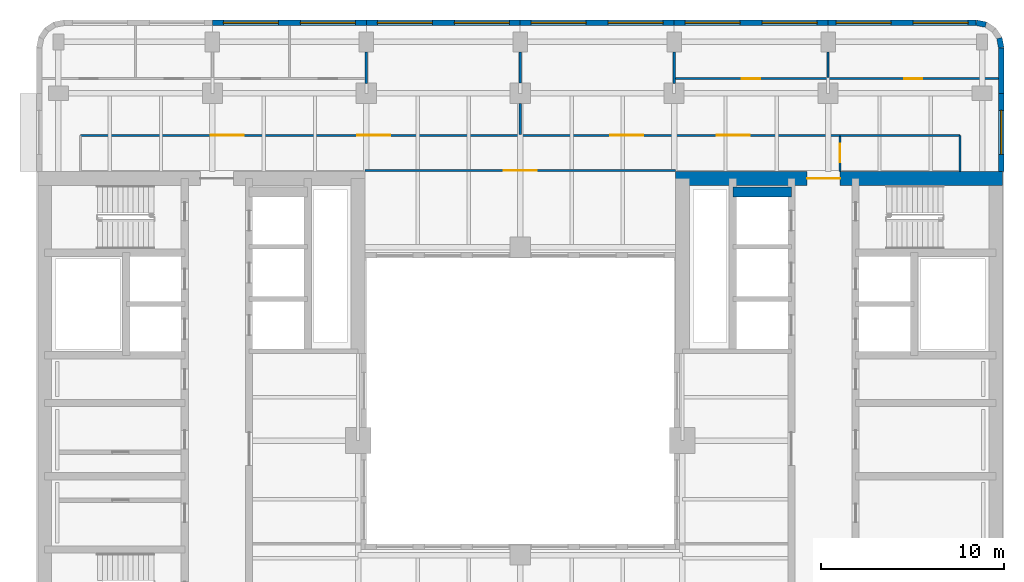
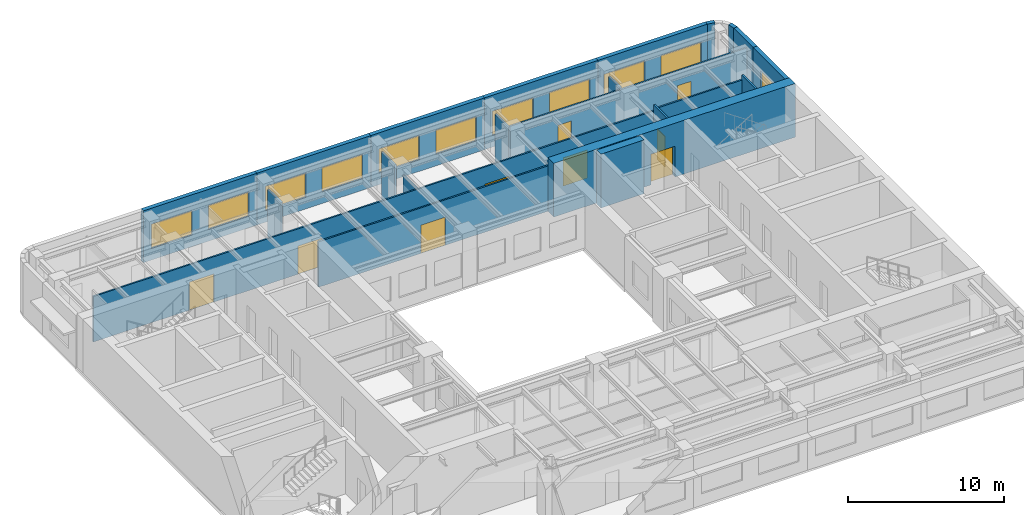
# One storey, part 7 of 11: 22 walls, 11 windows, 9 doors, 20 openings.
"""IFC4 building model written with IfcOpenShell, lengths in metres."""

from ifc_helpers import new_model, si_unit, direction, frame, frame_2d, origin, place, context, subcontext, project, spatial, rectangle, extrude, material, layer, layer_set, type_object, element, fill, save


model = new_model("IFC4")

# Units and contexts
model_context = context("Model", 3, precision=1e-05, world=origin(), true_north=direction((0.0, 1.0)))
body_context = subcontext(model_context, "Body", "Model", "MODEL_VIEW")
ifc_project = project(units=[si_unit("LENGTHUNIT", "METRE"), si_unit("AREAUNIT", "SQUARE_METRE"), si_unit("VOLUMEUNIT", "CUBIC_METRE"), si_unit("PLANEANGLEUNIT", "RADIAN"), si_unit("MASSUNIT", "GRAM", prefix="KILO")], contexts=[model_context])

# Site, building, storey
site_placement = place(None, origin())
site = spatial("IfcSite", under=ifc_project, at=site_placement, CompositionType="ELEMENT")
building_placement = place(site_placement, origin())
building = spatial("IfcBuilding", under=site, at=building_placement, Name="Claustro Exchange Tower", CompositionType="ELEMENT")
storey_placement = place(building_placement, frame((0.0, 0.0, 190.199951171875)))
storey = spatial("IfcBuildingStorey", under=building, at=storey_placement, Name="L43", CompositionType="ELEMENT", Elevation=190.199951171875)

# Wall
ifc_material_1 = material(Name="Laminated glass in aluminium frame", Category="aluminium")
ifc_layer_1 = layer(ifc_material_1, 0.1201171875)
ifc_layer_set_1 = layer_set([ifc_layer_1], Name="Laminated glass in aluminium frame")
wall_type_1 = type_object("IfcWallType", Name="P2 120 glazed partition", PredefinedType="PARTITIONING", material=ifc_layer_set_1)
wall_1_placement = place(storey_placement, frame((16.800048828125, 42.548095703125, 0.0), z_axis=(0.0, 0.0, 1.0), x_axis=(0.0, 1.0, 0.0)))
element("IfcWall", 1, at=wall_1_placement, inside=storey, type_object=wall_type_1, Name="Partition P2 L43", PredefinedType="PARTITIONING", context=body_context, shape_type="SweptSolid", body=[
    extrude(rectangle(XDim=1.702880859375, YDim=0.1201171875, at=frame_2d((0.8515625, 0.0))), origin(), (0.0, 0.0, 1.0), 3.68994140625),
])

# Wall, openings, doors
wall_2_placement = place(storey_placement, frame((33.60009765625, 42.800048828125, 0.0), z_axis=(0.0, 0.0, 1.0), x_axis=(1.0, 0.0, 0.0)))
wall_2 = element("IfcWall", 2, at=wall_2_placement, inside=storey, type_object=wall_type_1, Name="Partition P2 L43", PredefinedType="PARTITIONING", context=body_context, shape_type="SweptSolid", body=[
    extrude(rectangle(XDim=17.701904296875, YDim=0.1201171875, at=frame_2d((8.85107421875, 0.0))), origin(), (0.0, 0.0, 1.0), 3.56005859375),
])
opening_1_placement = place(wall_2_placement, frame((3.699951171875, 0.0, 0.0)))
opening_1 = element("IfcOpeningElement", 3, at=opening_1_placement, cuts=wall_2, Name="Opening D7", PredefinedType="OPENING", context=body_context, shape_type="SweptSolid", body=[
    extrude(rectangle(XDim=1.0, YDim=2.39990234375, at=frame_2d((0.5, 1.199951171875))), frame((0.0, 0.070068359375, 0.0), z_axis=(0.0, -1.0, 0.0), x_axis=(1.0, 0.0, 0.0)), (0.0, 0.0, 1.0), 0.14013671875),
])
opening_2_placement = place(wall_2_placement, frame((12.550048828125, 0.0, 0.0)))
opening_2 = element("IfcOpeningElement", 4, at=opening_2_placement, cuts=wall_2, Name="Opening D7", PredefinedType="OPENING", context=body_context, shape_type="SweptSolid", body=[
    extrude(rectangle(XDim=1.0, YDim=2.39990234375, at=frame_2d((0.5, 1.199951171875))), frame((0.0, 0.070068359375, 0.0), z_axis=(0.0, -1.0, 0.0), x_axis=(1.0, 0.0, 0.0)), (0.0, 0.0, 1.0), 0.14013671875),
])
ifc_material_2 = material(Name="Glass door in aluminium frame", Category="aluminium")
door_type_1 = type_object("IfcDoorType", Name="D7 1000 x 2400 glazed door", OperationType="SINGLE_SWING_LEFT", PredefinedType="DOOR", material=ifc_material_2)
door_1_placement = place(opening_1_placement, origin())
door_1 = element("IfcDoor", 5, at=door_1_placement, inside=storey, type_object=door_type_1, Name="Door D7 L43", OperationType="SINGLE_SWING_RIGHT", OverallHeight=2.39990234375, OverallWidth=1.0, PredefinedType="DOOR", context=body_context, shape_type="SweptSolid", body=[
    extrude(rectangle(XDim=1.0, YDim=2.39990234375, at=frame_2d((0.5, 1.199951171875))), frame((0.0, 0.02490234375, 0.0), z_axis=(0.0, -1.0, 0.0), x_axis=(1.0, 0.0, 0.0)), (0.0, 0.0, 1.0), 0.050048828125),
])
fill(opening_1, door_1)
door_2_placement = place(opening_2_placement, origin())
door_2 = element("IfcDoor", 6, at=door_2_placement, inside=storey, type_object=door_type_1, Name="Door D7 L43", OperationType="SINGLE_SWING_LEFT", OverallHeight=2.39990234375, OverallWidth=1.0, PredefinedType="DOOR", context=body_context, shape_type="SweptSolid", body=[
    extrude(rectangle(XDim=1.0, YDim=2.39990234375, at=frame_2d((0.5, 1.199951171875))), frame((0.0, 0.02490234375, 0.0), z_axis=(0.0, -1.0, 0.0), x_axis=(1.0, 0.0, 0.0)), (0.0, 0.0, 1.0), 0.050048828125),
])
fill(opening_2, door_2)

# Walls
wall_3_placement = place(storey_placement, frame((33.60009765625, 42.548095703125, 0.0), z_axis=(0.0, 0.0, 1.0), x_axis=(0.0, 1.0, 0.0)))
element("IfcWall", 7, at=wall_3_placement, inside=storey, type_object=wall_type_1, Name="Partition P2 L43", PredefinedType="PARTITIONING", context=body_context, shape_type="SweptSolid", body=[
    extrude(rectangle(XDim=1.702880859375, YDim=0.1201171875, at=frame_2d((0.8515625, 0.0))), origin(), (0.0, 0.0, 1.0), 3.68994140625),
])
wall_4_placement = place(storey_placement, frame((42.0, 42.85791015625, 0.0), z_axis=(0.0, 0.0, 1.0), x_axis=(0.0, 1.0, 0.0)))
element("IfcWall", 8, at=wall_4_placement, inside=storey, type_object=wall_type_1, Name="Partition P2 L43", PredefinedType="PARTITIONING", context=body_context, shape_type="SweptSolid", body=[
    extrude(rectangle(XDim=1.39306640625, YDim=0.1201171875, at=frame_2d((0.696533203125, 0.0))), origin(), (0.0, 0.0, 1.0), 3.68994140625),
])
wall_5_placement = place(storey_placement, frame((25.199951171875, 39.758056640625, 0.0), z_axis=(0.0, 0.0, 1.0), x_axis=(0.0, 1.0, 0.0)))
element("IfcWall", 9, at=wall_5_placement, inside=storey, type_object=wall_type_1, Name="Partition P2 L43", PredefinedType="PARTITIONING", context=body_context, shape_type="SweptSolid", body=[
    extrude(rectangle(XDim=1.69287109375, YDim=0.1201171875, at=frame_2d((0.846435546875, 0.0))), origin(), (0.0, 0.0, 1.0), 3.550048828125),
])
wall_6_placement = place(storey_placement, frame((25.199951171875, 42.549072265625, 0.0), z_axis=(0.0, 0.0, 1.0), x_axis=(0.0, 1.0, 0.0)))
element("IfcWall", 10, at=wall_6_placement, inside=storey, type_object=wall_type_1, Name="Partition P2 L43", PredefinedType="PARTITIONING", context=body_context, shape_type="SweptSolid", body=[
    extrude(rectangle(XDim=1.701904296875, YDim=0.1201171875, at=frame_2d((0.85107421875, 0.0))), origin(), (0.0, 0.0, 1.0), 3.68994140625),
])

# Wall, openings, doors
wall_7_placement = place(storey_placement, frame((1.199951171875, 39.699951171875, 0.0), z_axis=(0.0, 0.0, 1.0), x_axis=(1.0, 0.0, 0.0)))
wall_7 = element("IfcWall", 11, at=wall_7_placement, inside=storey, type_object=wall_type_1, Name="Partition P2 L43", PredefinedType="PARTITIONING", context=body_context, shape_type="SweptSolid", body=[
    extrude(rectangle(XDim=41.4521484375, YDim=0.1201171875, at=frame_2d((20.72607421875, 0.0))), origin(), (0.0, 0.0, 1.0), 3.550048828125),
])
opening_3_placement = place(wall_7_placement, frame((7.10009765625, 0.0, 0.0)))
opening_3 = element("IfcOpeningElement", 12, at=opening_3_placement, cuts=wall_7, Name="Opening D2", PredefinedType="OPENING", context=body_context, shape_type="SweptSolid", body=[
    extrude(rectangle(XDim=1.800048828125, YDim=2.199951171875, at=frame_2d((0.89990234375, 1.10009765625))), frame((0.0, 0.070068359375, 0.0), z_axis=(0.0, -1.0, 0.0), x_axis=(1.0, 0.0, 0.0)), (0.0, 0.0, 1.0), 0.14013671875),
])
opening_4_placement = place(wall_7_placement, frame((15.10009765625, 0.0, 0.0)))
opening_4 = element("IfcOpeningElement", 13, at=opening_4_placement, cuts=wall_7, Name="Opening D2", PredefinedType="OPENING", context=body_context, shape_type="SweptSolid", body=[
    extrude(rectangle(XDim=1.800048828125, YDim=2.199951171875, at=frame_2d((0.89990234375, 1.10009765625))), frame((0.0, 0.070068359375, 0.0), z_axis=(0.0, -1.0, 0.0), x_axis=(1.0, 0.0, 0.0)), (0.0, 0.0, 1.0), 0.14013671875),
])
opening_5_placement = place(wall_7_placement, frame((28.916748046875, 0.0, 0.0)))
opening_5 = element("IfcOpeningElement", 14, at=opening_5_placement, cuts=wall_7, Name="Opening D2", PredefinedType="OPENING", context=body_context, shape_type="SweptSolid", body=[
    extrude(rectangle(XDim=1.800048828125, YDim=2.199951171875, at=frame_2d((0.89990234375, 1.10009765625))), frame((0.0, 0.070068359375, 0.0), z_axis=(0.0, -1.0, 0.0), x_axis=(1.0, 0.0, 0.0)), (0.0, 0.0, 1.0), 0.14013671875),
])
opening_6_placement = place(wall_7_placement, frame((34.7333984375, 0.0, 0.0)))
opening_6 = element("IfcOpeningElement", 15, at=opening_6_placement, cuts=wall_7, Name="Opening D2", PredefinedType="OPENING", context=body_context, shape_type="SweptSolid", body=[
    extrude(rectangle(XDim=1.800048828125, YDim=2.199951171875, at=frame_2d((0.89990234375, 1.10009765625))), frame((0.0, 0.070068359375, 0.0), z_axis=(0.0, -1.0, 0.0), x_axis=(1.0, 0.0, 0.0)), (0.0, 0.0, 1.0), 0.14013671875),
])
ifc_material_3 = material(Name="Timber door, oak veneer", Category="wood")
door_type_2 = type_object("IfcDoorType", Name="D2 1800 x 2200 double door", OperationType="DOUBLE_DOOR_SINGLE_SWING", PredefinedType="DOOR", material=ifc_material_3)
door_3_placement = place(opening_3_placement, origin())
door_3 = element("IfcDoor", 16, at=door_3_placement, inside=storey, type_object=door_type_2, Name="Double door D2 L43", OperationType="DOUBLE_DOOR_SINGLE_SWING", OverallHeight=2.199951171875, OverallWidth=1.800048828125, PredefinedType="DOOR", context=body_context, shape_type="SweptSolid", body=[
    extrude(rectangle(XDim=1.800048828125, YDim=2.199951171875, at=frame_2d((0.89990234375, 1.10009765625))), frame((0.0, 0.02490234375, 0.0), z_axis=(0.0, -1.0, 0.0), x_axis=(1.0, 0.0, 0.0)), (0.0, 0.0, 1.0), 0.050048828125),
])
fill(opening_3, door_3)
door_4_placement = place(opening_4_placement, origin())
door_4 = element("IfcDoor", 17, at=door_4_placement, inside=storey, type_object=door_type_2, Name="Double door D2 L43", OperationType="DOUBLE_DOOR_SINGLE_SWING", OverallHeight=2.199951171875, OverallWidth=1.800048828125, PredefinedType="DOOR", context=body_context, shape_type="SweptSolid", body=[
    extrude(rectangle(XDim=1.800048828125, YDim=2.199951171875, at=frame_2d((0.89990234375, 1.10009765625))), frame((0.0, 0.02490234375, 0.0), z_axis=(0.0, -1.0, 0.0), x_axis=(1.0, 0.0, 0.0)), (0.0, 0.0, 1.0), 0.050048828125),
])
fill(opening_4, door_4)
door_5_placement = place(opening_5_placement, origin())
door_5 = element("IfcDoor", 18, at=door_5_placement, inside=storey, type_object=door_type_2, Name="Double door D2 L43", OperationType="DOUBLE_DOOR_SINGLE_SWING", OverallHeight=2.199951171875, OverallWidth=1.800048828125, PredefinedType="DOOR", context=body_context, shape_type="SweptSolid", body=[
    extrude(rectangle(XDim=1.800048828125, YDim=2.199951171875, at=frame_2d((0.89990234375, 1.10009765625))), frame((0.0, 0.02490234375, 0.0), z_axis=(0.0, -1.0, 0.0), x_axis=(1.0, 0.0, 0.0)), (0.0, 0.0, 1.0), 0.050048828125),
])
fill(opening_5, door_5)
door_6_placement = place(opening_6_placement, origin())
door_6 = element("IfcDoor", 19, at=door_6_placement, inside=storey, type_object=door_type_2, Name="Double door D2 L43", OperationType="DOUBLE_DOOR_SINGLE_SWING", OverallHeight=2.199951171875, OverallWidth=1.800048828125, PredefinedType="DOOR", context=body_context, shape_type="SweptSolid", body=[
    extrude(rectangle(XDim=1.800048828125, YDim=2.199951171875, at=frame_2d((0.89990234375, 1.10009765625))), frame((0.0, 0.02490234375, 0.0), z_axis=(0.0, -1.0, 0.0), x_axis=(1.0, 0.0, 0.0)), (0.0, 0.0, 1.0), 0.050048828125),
])
fill(opening_6, door_6)

# Wall, opening, door
wall_8_placement = place(storey_placement, frame((42.64990234375, 37.72412109375, 0.0), z_axis=(0.0, 0.0, 1.0), x_axis=(0.0, 1.0, 0.0)))
wall_8 = element("IfcWall", 20, at=wall_8_placement, inside=storey, type_object=wall_type_1, Name="Partition P2 L43", PredefinedType="PARTITIONING", context=body_context, shape_type="SweptSolid", body=[
    extrude(rectangle(XDim=1.91796875, YDim=0.1201171875, at=frame_2d((0.958984375, 0.0))), origin(), (0.0, 0.0, 1.0), 4.050048828125),
])
opening_7_placement = place(wall_8_placement, frame((0.52587890625, 0.0, 0.0)))
opening_7 = element("IfcOpeningElement", 21, at=opening_7_placement, cuts=wall_8, Name="Opening D7", PredefinedType="OPENING", context=body_context, shape_type="SweptSolid", body=[
    extrude(rectangle(XDim=1.0, YDim=2.39990234375, at=frame_2d((0.5, 1.199951171875))), frame((0.0, 0.070068359375, 0.0), z_axis=(0.0, -1.0, 0.0), x_axis=(1.0, 0.0, 0.0)), (0.0, 0.0, 1.0), 0.14013671875),
])
door_7_placement = place(opening_7_placement, frame((1.0, 0.0, 0.0), z_axis=(0.0, 0.0, 1.0), x_axis=(-1.0, 0.0, 0.0)))
door_7 = element("IfcDoor", 22, at=door_7_placement, inside=storey, type_object=door_type_1, Name="Door D7 L43", OperationType="SINGLE_SWING_RIGHT", OverallHeight=2.39990234375, OverallWidth=1.0, PredefinedType="DOOR", context=body_context, shape_type="SweptSolid", body=[
    extrude(rectangle(XDim=1.0, YDim=2.39990234375, at=frame_2d((0.5, 1.199951171875))), frame((0.0, 0.02490234375, 0.0), z_axis=(0.0, -1.0, 0.0), x_axis=(1.0, 0.0, 0.0)), (0.0, 0.0, 1.0), 0.050048828125),
])
fill(opening_7, door_7)

# Walls
wall_9_placement = place(storey_placement, frame((42.64794921875, 39.699951171875, 0.0), z_axis=(0.0, 0.0, 1.0), x_axis=(1.0, 0.0, 0.0)))
element("IfcWall", 23, at=wall_9_placement, inside=storey, type_object=wall_type_1, Name="Partition P2 L43", PredefinedType="PARTITIONING", context=body_context, shape_type="SweptSolid", body=[
    extrude(rectangle(XDim=6.552001953125, YDim=0.1201171875, at=frame_2d((3.27587890625, 0.0))), origin(), (0.0, 0.0, 1.0), 3.68994140625),
])
wall_10_placement = place(storey_placement, frame((49.199951171875, 37.72412109375, 0.0), z_axis=(0.0, 0.0, 1.0), x_axis=(0.0, 1.0, 0.0)))
element("IfcWall", 24, at=wall_10_placement, inside=storey, type_object=wall_type_1, Name="Partition P2 L43", PredefinedType="PARTITIONING", context=body_context, shape_type="SweptSolid", body=[
    extrude(rectangle(XDim=1.975830078125, YDim=0.1201171875, at=frame_2d((0.98779296875, 0.0))), origin(), (0.0, 0.0, 1.0), 4.050048828125),
])

# Wall, opening, door
wall_11_placement = place(storey_placement, frame((16.72509765625, 37.784912109375, 0.0), z_axis=(0.0, 0.0, 1.0), x_axis=(1.0, 0.0, 0.0)))
wall_11 = element("IfcWall", 25, at=wall_11_placement, inside=storey, type_object=wall_type_1, Name="Partition P2 L43", PredefinedType="PARTITIONING", context=body_context, shape_type="SweptSolid", body=[
    extrude(rectangle(XDim=16.949951171875, YDim=0.1201171875, at=frame_2d((8.47509765625, 0.0))), origin(), (0.0, 0.0, 1.0), 3.550048828125),
])
opening_8_placement = place(wall_11_placement, frame((7.574951171875, 0.0, 0.0)))
opening_8 = element("IfcOpeningElement", 26, at=opening_8_placement, cuts=wall_11, Name="Opening D2", PredefinedType="OPENING", context=body_context, shape_type="SweptSolid", body=[
    extrude(rectangle(XDim=1.800048828125, YDim=2.199951171875, at=frame_2d((0.89990234375, 1.10009765625))), frame((0.0, 0.070068359375, 0.0), z_axis=(0.0, -1.0, 0.0), x_axis=(1.0, 0.0, 0.0)), (0.0, 0.0, 1.0), 0.14013671875),
])
door_8_placement = place(opening_8_placement, frame((1.800048828125, 0.0, 0.0), z_axis=(0.0, 0.0, 1.0), x_axis=(-1.0, 0.0, 0.0)))
door_8 = element("IfcDoor", 27, at=door_8_placement, inside=storey, type_object=door_type_2, Name="Double door D2 L43", OperationType="DOUBLE_DOOR_SINGLE_SWING", OverallHeight=2.199951171875, OverallWidth=1.800048828125, PredefinedType="DOOR", context=body_context, shape_type="SweptSolid", body=[
    extrude(rectangle(XDim=1.800048828125, YDim=2.199951171875, at=frame_2d((0.89990234375, 1.10009765625))), frame((0.0, 0.02490234375, 0.0), z_axis=(0.0, -1.0, 0.0), x_axis=(1.0, 0.0, 0.0)), (0.0, 0.0, 1.0), 0.050048828125),
])
fill(opening_8, door_8)

# Wall, openings, windows
ifc_material_4 = material(Name="Concrete HA-40 (C40/50), precast, white cement, acid-etched", Category="concrete")
ifc_layer_2 = layer(ifc_material_4, 0.300048828125)
ifc_layer_set_2 = layer_set([ifc_layer_2], Name="Concrete HA-40 (C40/50), precast, white cement, acid-etched")
wall_type_2 = type_object("IfcWallType", Name="PC1 300 precast concrete pier panel", PredefinedType="SOLIDWALL", material=ifc_layer_set_2)
wall_12_placement = place(storey_placement, frame((8.39990234375, 45.85009765625, 0.0), z_axis=(0.0, 0.0, 1.0), x_axis=(1.0, 0.0, 0.0)))
wall_12 = element("IfcWall", 28, at=wall_12_placement, inside=storey, type_object=wall_type_2, Name="Precast pier panel PC1 L43", PredefinedType="SOLIDWALL", context=body_context, shape_type="SweptSolid", body=[
    extrude(rectangle(XDim=8.400146484375, YDim=0.300048828125, at=frame_2d((4.2001953125, 0.0))), origin(), (0.0, 0.0, 1.0), 4.050048828125),
])
opening_9_placement = place(wall_12_placement, frame((0.60009765625, 0.0, 0.89990234375)))
opening_9 = element("IfcOpeningElement", 29, at=opening_9_placement, cuts=wall_12, Name="Opening W1", PredefinedType="OPENING", context=body_context, shape_type="SweptSolid", body=[
    extrude(rectangle(XDim=3.0, YDim=1.89990234375, at=frame_2d((1.5, 0.949951171875))), frame((0.0, 0.159912109375, 0.0), z_axis=(0.0, -1.0, 0.0), x_axis=(1.0, 0.0, 0.0)), (0.0, 0.0, 1.0), 0.320068359375),
])
opening_10_placement = place(wall_12_placement, frame((4.800048828125, 0.0, 0.89990234375)))
opening_10 = element("IfcOpeningElement", 30, at=opening_10_placement, cuts=wall_12, Name="Opening W1", PredefinedType="OPENING", context=body_context, shape_type="SweptSolid", body=[
    extrude(rectangle(XDim=3.0, YDim=1.89990234375, at=frame_2d((1.5, 0.949951171875))), frame((0.0, 0.159912109375, 0.0), z_axis=(0.0, -1.0, 0.0), x_axis=(1.0, 0.0, 0.0)), (0.0, 0.0, 1.0), 0.320068359375),
])
ifc_material_5 = material(Name="Aluminium frame, clear double glazing", Category="aluminium")
window_type_1 = type_object("IfcWindowType", Name="W1 3000 x 1900 window", PartitioningType="SINGLE_PANEL", PredefinedType="WINDOW", material=ifc_material_5)
window_1_placement = place(opening_9_placement, origin())
window_1 = element("IfcWindow", 31, at=window_1_placement, inside=storey, type_object=window_type_1, Name="Window W1 L43", OverallHeight=1.89990234375, OverallWidth=3.0, PartitioningType="SINGLE_PANEL", PredefinedType="WINDOW", context=body_context, shape_type="SweptSolid", body=[
    extrude(rectangle(XDim=3.0, YDim=1.89990234375, at=frame_2d((1.5, 0.949951171875))), frame((0.0, 0.030029296875, 0.0), z_axis=(0.0, -1.0, 0.0), x_axis=(1.0, 0.0, 0.0)), (0.0, 0.0, 1.0), 0.06005859375),
])
fill(opening_9, window_1)
window_2_placement = place(opening_10_placement, origin())
window_2 = element("IfcWindow", 32, at=window_2_placement, inside=storey, type_object=window_type_1, Name="Window W1 L43", OverallHeight=1.89990234375, OverallWidth=3.0, PartitioningType="SINGLE_PANEL", PredefinedType="WINDOW", context=body_context, shape_type="SweptSolid", body=[
    extrude(rectangle(XDim=3.0, YDim=1.89990234375, at=frame_2d((1.5, 0.949951171875))), frame((0.0, 0.030029296875, 0.0), z_axis=(0.0, -1.0, 0.0), x_axis=(1.0, 0.0, 0.0)), (0.0, 0.0, 1.0), 0.06005859375),
])
fill(opening_10, window_2)

wall_13_placement = place(storey_placement, frame((16.800048828125, 45.85009765625, 0.0), z_axis=(0.0, 0.0, 1.0), x_axis=(1.0, 0.0, 0.0)))
wall_13 = element("IfcWall", 33, at=wall_13_placement, inside=storey, type_object=wall_type_2, Name="Precast pier panel PC1 L43", PredefinedType="SOLIDWALL", context=body_context, shape_type="SweptSolid", body=[
    extrude(rectangle(XDim=8.39990234375, YDim=0.300048828125, at=frame_2d((4.199951171875, 0.0))), origin(), (0.0, 0.0, 1.0), 4.050048828125),
])
opening_11_placement = place(wall_13_placement, frame((0.60009765625, 0.0, 0.89990234375)))
opening_11 = element("IfcOpeningElement", 34, at=opening_11_placement, cuts=wall_13, Name="Opening W1", PredefinedType="OPENING", context=body_context, shape_type="SweptSolid", body=[
    extrude(rectangle(XDim=3.0, YDim=1.89990234375, at=frame_2d((1.5, 0.949951171875))), frame((0.0, 0.159912109375, 0.0), z_axis=(0.0, -1.0, 0.0), x_axis=(1.0, 0.0, 0.0)), (0.0, 0.0, 1.0), 0.320068359375),
])
opening_12_placement = place(wall_13_placement, frame((4.800048828125, 0.0, 0.89990234375)))
opening_12 = element("IfcOpeningElement", 35, at=opening_12_placement, cuts=wall_13, Name="Opening W1", PredefinedType="OPENING", context=body_context, shape_type="SweptSolid", body=[
    extrude(rectangle(XDim=3.0, YDim=1.89990234375, at=frame_2d((1.5, 0.949951171875))), frame((0.0, 0.159912109375, 0.0), z_axis=(0.0, -1.0, 0.0), x_axis=(1.0, 0.0, 0.0)), (0.0, 0.0, 1.0), 0.320068359375),
])
window_3_placement = place(opening_11_placement, origin())
window_3 = element("IfcWindow", 36, at=window_3_placement, inside=storey, type_object=window_type_1, Name="Window W1 L43", OverallHeight=1.89990234375, OverallWidth=3.0, PartitioningType="SINGLE_PANEL", PredefinedType="WINDOW", context=body_context, shape_type="SweptSolid", body=[
    extrude(rectangle(XDim=3.0, YDim=1.89990234375, at=frame_2d((1.5, 0.949951171875))), frame((0.0, 0.030029296875, 0.0), z_axis=(0.0, -1.0, 0.0), x_axis=(1.0, 0.0, 0.0)), (0.0, 0.0, 1.0), 0.06005859375),
])
fill(opening_11, window_3)
window_4_placement = place(opening_12_placement, origin())
window_4 = element("IfcWindow", 37, at=window_4_placement, inside=storey, type_object=window_type_1, Name="Window W1 L43", OverallHeight=1.89990234375, OverallWidth=3.0, PartitioningType="SINGLE_PANEL", PredefinedType="WINDOW", context=body_context, shape_type="SweptSolid", body=[
    extrude(rectangle(XDim=3.0, YDim=1.89990234375, at=frame_2d((1.5, 0.949951171875))), frame((0.0, 0.030029296875, 0.0), z_axis=(0.0, -1.0, 0.0), x_axis=(1.0, 0.0, 0.0)), (0.0, 0.0, 1.0), 0.06005859375),
])
fill(opening_12, window_4)

wall_14_placement = place(storey_placement, frame((25.199951171875, 45.85009765625, 0.0), z_axis=(0.0, 0.0, 1.0), x_axis=(1.0, 0.0, 0.0)))
wall_14 = element("IfcWall", 38, at=wall_14_placement, inside=storey, type_object=wall_type_2, Name="Precast pier panel PC1 L43", PredefinedType="SOLIDWALL", context=body_context, shape_type="SweptSolid", body=[
    extrude(rectangle(XDim=8.400146484375, YDim=0.300048828125, at=frame_2d((4.2001953125, 0.0))), origin(), (0.0, 0.0, 1.0), 4.050048828125),
])
opening_13_placement = place(wall_14_placement, frame((0.60009765625, 0.0, 0.89990234375)))
opening_13 = element("IfcOpeningElement", 39, at=opening_13_placement, cuts=wall_14, Name="Opening W1", PredefinedType="OPENING", context=body_context, shape_type="SweptSolid", body=[
    extrude(rectangle(XDim=3.0, YDim=1.89990234375, at=frame_2d((1.5, 0.949951171875))), frame((0.0, 0.159912109375, 0.0), z_axis=(0.0, -1.0, 0.0), x_axis=(1.0, 0.0, 0.0)), (0.0, 0.0, 1.0), 0.320068359375),
])
opening_14_placement = place(wall_14_placement, frame((4.800048828125, 0.0, 0.89990234375)))
opening_14 = element("IfcOpeningElement", 40, at=opening_14_placement, cuts=wall_14, Name="Opening W1", PredefinedType="OPENING", context=body_context, shape_type="SweptSolid", body=[
    extrude(rectangle(XDim=3.0, YDim=1.89990234375, at=frame_2d((1.5, 0.949951171875))), frame((0.0, 0.159912109375, 0.0), z_axis=(0.0, -1.0, 0.0), x_axis=(1.0, 0.0, 0.0)), (0.0, 0.0, 1.0), 0.320068359375),
])
window_5_placement = place(opening_13_placement, origin())
window_5 = element("IfcWindow", 41, at=window_5_placement, inside=storey, type_object=window_type_1, Name="Window W1 L43", OverallHeight=1.89990234375, OverallWidth=3.0, PartitioningType="SINGLE_PANEL", PredefinedType="WINDOW", context=body_context, shape_type="SweptSolid", body=[
    extrude(rectangle(XDim=3.0, YDim=1.89990234375, at=frame_2d((1.5, 0.949951171875))), frame((0.0, 0.030029296875, 0.0), z_axis=(0.0, -1.0, 0.0), x_axis=(1.0, 0.0, 0.0)), (0.0, 0.0, 1.0), 0.06005859375),
])
fill(opening_13, window_5)
window_6_placement = place(opening_14_placement, origin())
window_6 = element("IfcWindow", 42, at=window_6_placement, inside=storey, type_object=window_type_1, Name="Window W1 L43", OverallHeight=1.89990234375, OverallWidth=3.0, PartitioningType="SINGLE_PANEL", PredefinedType="WINDOW", context=body_context, shape_type="SweptSolid", body=[
    extrude(rectangle(XDim=3.0, YDim=1.89990234375, at=frame_2d((1.5, 0.949951171875))), frame((0.0, 0.030029296875, 0.0), z_axis=(0.0, -1.0, 0.0), x_axis=(1.0, 0.0, 0.0)), (0.0, 0.0, 1.0), 0.06005859375),
])
fill(opening_14, window_6)

wall_15_placement = place(storey_placement, frame((33.60009765625, 45.85009765625, 0.0), z_axis=(0.0, 0.0, 1.0), x_axis=(1.0, 0.0, 0.0)))
wall_15 = element("IfcWall", 43, at=wall_15_placement, inside=storey, type_object=wall_type_2, Name="Precast pier panel PC1 L43", PredefinedType="SOLIDWALL", context=body_context, shape_type="SweptSolid", body=[
    extrude(rectangle(XDim=8.39990234375, YDim=0.300048828125, at=frame_2d((4.199951171875, 0.0))), origin(), (0.0, 0.0, 1.0), 4.050048828125),
])
opening_15_placement = place(wall_15_placement, frame((0.60009765625, 0.0, 0.89990234375)))
opening_15 = element("IfcOpeningElement", 44, at=opening_15_placement, cuts=wall_15, Name="Opening W1", PredefinedType="OPENING", context=body_context, shape_type="SweptSolid", body=[
    extrude(rectangle(XDim=3.0, YDim=1.89990234375, at=frame_2d((1.5, 0.949951171875))), frame((0.0, 0.159912109375, 0.0), z_axis=(0.0, -1.0, 0.0), x_axis=(1.0, 0.0, 0.0)), (0.0, 0.0, 1.0), 0.320068359375),
])
opening_16_placement = place(wall_15_placement, frame((4.800048828125, 0.0, 0.89990234375)))
opening_16 = element("IfcOpeningElement", 45, at=opening_16_placement, cuts=wall_15, Name="Opening W1", PredefinedType="OPENING", context=body_context, shape_type="SweptSolid", body=[
    extrude(rectangle(XDim=3.0, YDim=1.89990234375, at=frame_2d((1.5, 0.949951171875))), frame((0.0, 0.159912109375, 0.0), z_axis=(0.0, -1.0, 0.0), x_axis=(1.0, 0.0, 0.0)), (0.0, 0.0, 1.0), 0.320068359375),
])
window_7_placement = place(opening_15_placement, origin())
window_7 = element("IfcWindow", 46, at=window_7_placement, inside=storey, type_object=window_type_1, Name="Window W1 L43", OverallHeight=1.89990234375, OverallWidth=3.0, PartitioningType="SINGLE_PANEL", PredefinedType="WINDOW", context=body_context, shape_type="SweptSolid", body=[
    extrude(rectangle(XDim=3.0, YDim=1.89990234375, at=frame_2d((1.5, 0.949951171875))), frame((0.0, 0.030029296875, 0.0), z_axis=(0.0, -1.0, 0.0), x_axis=(1.0, 0.0, 0.0)), (0.0, 0.0, 1.0), 0.06005859375),
])
fill(opening_15, window_7)
window_8_placement = place(opening_16_placement, origin())
window_8 = element("IfcWindow", 47, at=window_8_placement, inside=storey, type_object=window_type_1, Name="Window W1 L43", OverallHeight=1.89990234375, OverallWidth=3.0, PartitioningType="SINGLE_PANEL", PredefinedType="WINDOW", context=body_context, shape_type="SweptSolid", body=[
    extrude(rectangle(XDim=3.0, YDim=1.89990234375, at=frame_2d((1.5, 0.949951171875))), frame((0.0, 0.030029296875, 0.0), z_axis=(0.0, -1.0, 0.0), x_axis=(1.0, 0.0, 0.0)), (0.0, 0.0, 1.0), 0.06005859375),
])
fill(opening_16, window_8)

wall_16_placement = place(storey_placement, frame((42.0, 45.85009765625, 0.0), z_axis=(0.0, 0.0, 1.0), x_axis=(1.0, 0.0, 0.0)))
wall_16 = element("IfcWall", 48, at=wall_16_placement, inside=storey, type_object=wall_type_2, Name="Precast pier panel PC1 L43", PredefinedType="SOLIDWALL", context=body_context, shape_type="SweptSolid", body=[
    extrude(rectangle(XDim=8.085205078125, YDim=0.300048828125, at=frame_2d((4.04248046875, 0.0))), origin(), (0.0, 0.0, 1.0), 4.050048828125),
])
opening_17_placement = place(wall_16_placement, frame((0.442626953125, 0.0, 0.89990234375)))
opening_17 = element("IfcOpeningElement", 49, at=opening_17_placement, cuts=wall_16, Name="Opening W1", PredefinedType="OPENING", context=body_context, shape_type="SweptSolid", body=[
    extrude(rectangle(XDim=3.0, YDim=1.89990234375, at=frame_2d((1.5, 0.949951171875))), frame((0.0, 0.159912109375, 0.0), z_axis=(0.0, -1.0, 0.0), x_axis=(1.0, 0.0, 0.0)), (0.0, 0.0, 1.0), 0.320068359375),
])
opening_18_placement = place(wall_16_placement, frame((4.642578125, 0.0, 0.89990234375)))
opening_18 = element("IfcOpeningElement", 50, at=opening_18_placement, cuts=wall_16, Name="Opening W1", PredefinedType="OPENING", context=body_context, shape_type="SweptSolid", body=[
    extrude(rectangle(XDim=3.0, YDim=1.89990234375, at=frame_2d((1.5, 0.949951171875))), frame((0.0, 0.159912109375, 0.0), z_axis=(0.0, -1.0, 0.0), x_axis=(1.0, 0.0, 0.0)), (0.0, 0.0, 1.0), 0.320068359375),
])
window_9_placement = place(opening_17_placement, origin())
window_9 = element("IfcWindow", 51, at=window_9_placement, inside=storey, type_object=window_type_1, Name="Window W1 L43", OverallHeight=1.89990234375, OverallWidth=3.0, PartitioningType="SINGLE_PANEL", PredefinedType="WINDOW", context=body_context, shape_type="SweptSolid", body=[
    extrude(rectangle(XDim=3.0, YDim=1.89990234375, at=frame_2d((1.5, 0.949951171875))), frame((0.0, 0.030029296875, 0.0), z_axis=(0.0, -1.0, 0.0), x_axis=(1.0, 0.0, 0.0)), (0.0, 0.0, 1.0), 0.06005859375),
])
fill(opening_17, window_9)
window_10_placement = place(opening_18_placement, origin())
window_10 = element("IfcWindow", 52, at=window_10_placement, inside=storey, type_object=window_type_1, Name="Window W1 L43", OverallHeight=1.89990234375, OverallWidth=3.0, PartitioningType="SINGLE_PANEL", PredefinedType="WINDOW", context=body_context, shape_type="SweptSolid", body=[
    extrude(rectangle(XDim=3.0, YDim=1.89990234375, at=frame_2d((1.5, 0.949951171875))), frame((0.0, 0.030029296875, 0.0), z_axis=(0.0, -1.0, 0.0), x_axis=(1.0, 0.0, 0.0)), (0.0, 0.0, 1.0), 0.06005859375),
])
fill(opening_18, window_10)

# Walls
for number, where, z_axis, x_axis, name in (
    (53, (50.085205078125, 45.85009765625, 0.0), (0.0, 0.0, 1.0), (0.980702050465, -0.1955082817, 0.0), "Precast pier panel PC1 L43"),
    (54, (51.344482421875, 45.015380859375, 0.0), (0.0, 0.0, 1.0), (0.195073962632, -0.980788534345, 0.0), "Precast pier panel PC1 L43"),
):
    element("IfcWall", number, at=place(storey_placement, frame(where, z_axis=z_axis, x_axis=x_axis)), inside=storey, type_object=wall_type_2, Name=name, PredefinedType="SOLIDWALL", context=body_context, shape_type="SweptSolid", body=[
        extrude(rectangle(XDim=0.540771484375, YDim=0.300048828125, at=frame_2d((0.2705078125, 0.0))), origin(), (0.0, 0.0, 1.0), 4.050048828125),
    ])
wall_17_placement = place(storey_placement, frame((51.449951171875, 44.485107421875, 0.0), z_axis=(0.0, 0.0, 1.0), x_axis=(0.0, -1.0, 0.0)))
element("IfcWall", 55, at=wall_17_placement, inside=storey, type_object=wall_type_2, Name="Precast pier panel PC1 L43", PredefinedType="SOLIDWALL", context=body_context, shape_type="SweptSolid", body=[
    extrude(rectangle(XDim=2.485107421875, YDim=0.300048828125, at=frame_2d((1.24267578125, 0.0))), origin(), (0.0, 0.0, 1.0), 4.050048828125),
])

# Wall, opening, window
wall_18_placement = place(storey_placement, frame((51.449951171875, 42.0, 0.0), z_axis=(0.0, 0.0, 1.0), x_axis=(0.0, -1.0, 0.0)))
wall_18 = element("IfcWall", 56, at=wall_18_placement, inside=storey, type_object=wall_type_2, Name="Precast pier panel PC1 L43", PredefinedType="SOLIDWALL", context=body_context, shape_type="SweptSolid", body=[
    extrude(rectangle(XDim=4.27490234375, YDim=0.300048828125, at=frame_2d((2.137451171875, 0.0))), origin(), (0.0, 0.0, 1.0), 4.050048828125),
])
opening_19_placement = place(wall_18_placement, frame((0.9375, 0.0, 0.89990234375)))
opening_19 = element("IfcOpeningElement", 57, at=opening_19_placement, cuts=wall_18, Name="Opening W2", PredefinedType="OPENING", context=body_context, shape_type="SweptSolid", body=[
    extrude(rectangle(XDim=2.39990234375, YDim=1.89990234375, at=frame_2d((1.199951171875, 0.949951171875))), frame((0.0, 0.159912109375, 0.0), z_axis=(0.0, -1.0, 0.0), x_axis=(1.0, 0.0, 0.0)), (0.0, 0.0, 1.0), 0.320068359375),
])
ifc_material_6 = material(Name="Aluminium frame, clear double glazing", Category="aluminium")
window_type_2 = type_object("IfcWindowType", Name="W2 2400 x 1900 window", PartitioningType="SINGLE_PANEL", PredefinedType="WINDOW", material=ifc_material_6)
window_11_placement = place(opening_19_placement, origin())
window_11 = element("IfcWindow", 58, at=window_11_placement, inside=storey, type_object=window_type_2, Name="Window W2 L43", OverallHeight=1.89990234375, OverallWidth=2.39990234375, PartitioningType="SINGLE_PANEL", PredefinedType="WINDOW", context=body_context, shape_type="SweptSolid", body=[
    extrude(rectangle(XDim=2.39990234375, YDim=1.89990234375, at=frame_2d((1.199951171875, 0.949951171875))), frame((0.0, 0.030029296875, 0.0), z_axis=(0.0, -1.0, 0.0), x_axis=(1.0, 0.0, 0.0)), (0.0, 0.0, 1.0), 0.06005859375),
])
fill(opening_19, window_11)

# Wall, opening, door
ifc_material_7 = material(Name="Concrete HA-70 (C70/85)", Category="concrete")
ifc_layer_3 = layer(ifc_material_7, 0.75)
ifc_layer_set_3 = layer_set([ifc_layer_3], Name="Concrete HA-70 (C70/85)")
wall_type_3 = type_object("IfcWallType", Name="SW2 750 core shear wall", PredefinedType="SHEAR", material=ifc_layer_set_3)
wall_19_placement = place(storey_placement, frame((33.675048828125, 37.35009765625, 0.0), z_axis=(0.0, 0.0, 1.0), x_axis=(1.0, 0.0, 0.0)))
wall_19 = element("IfcWall", 59, at=wall_19_placement, inside=storey, type_object=wall_type_3, Name="Core wall SW2 E core N face L43", PredefinedType="SHEAR", context=body_context, shape_type="SweptSolid", body=[
    extrude(rectangle(XDim=17.849853515625, YDim=0.75, at=frame_2d((8.9248046875, 0.0))), origin(), (0.0, 0.0, 1.0), 4.199951171875),
])
opening_20_placement = place(wall_19_placement, frame((7.175048828125, 0.0, 0.0)))
opening_20 = element("IfcOpeningElement", 60, at=opening_20_placement, cuts=wall_19, Name="Opening D3", PredefinedType="OPENING", context=body_context, shape_type="SweptSolid", body=[
    extrude(rectangle(XDim=1.800048828125, YDim=2.39990234375, at=frame_2d((0.89990234375, 1.199951171875))), frame((0.0, 0.385009765625, 0.0), z_axis=(0.0, -1.0, 0.0), x_axis=(1.0, 0.0, 0.0)), (0.0, 0.0, 1.0), 0.77001953125),
])
ifc_material_8 = material(Name="Steel fire door, painted", Category="steel")
door_type_3 = type_object("IfcDoorType", Name="D3 1800 x 2400 fire-rated lobby double door", OperationType="DOUBLE_DOOR_SINGLE_SWING", PredefinedType="DOOR", material=ifc_material_8)
door_9_placement = place(opening_20_placement, frame((1.800048828125, 0.0, 0.0), z_axis=(0.0, 0.0, 1.0), x_axis=(-1.0, 0.0, 0.0)))
door_9 = element("IfcDoor", 61, at=door_9_placement, inside=storey, type_object=door_type_3, Name="Lift lobby door D3 L43", OperationType="DOUBLE_DOOR_SINGLE_SWING", OverallHeight=2.39990234375, OverallWidth=1.800048828125, PredefinedType="DOOR", context=body_context, shape_type="SweptSolid", body=[
    extrude(rectangle(XDim=1.800048828125, YDim=2.39990234375, at=frame_2d((0.89990234375, 1.199951171875))), frame((0.0, 0.02490234375, 0.0), z_axis=(0.0, -1.0, 0.0), x_axis=(1.0, 0.0, 0.0)), (0.0, 0.0, 1.0), 0.050048828125),
])
fill(opening_20, door_9)

# Wall
ifc_material_9 = material(Name="Concrete HA-50 (C50/60)", Category="concrete")
ifc_layer_4 = layer(ifc_material_9, 0.550048828125)
ifc_layer_set_4 = layer_set([ifc_layer_4], Name="Concrete HA-50 (C50/60)")
wall_type_4 = type_object("IfcWallType", Name="SW6 550 lift shaft end wall", PredefinedType="SHEAR", material=ifc_layer_set_4)
wall_20_placement = place(storey_placement, frame((40.0, 36.625, 0.0), z_axis=(0.0, 0.0, 1.0), x_axis=(-1.0, 0.0, 0.0)))
element("IfcWall", 62, at=wall_20_placement, inside=storey, type_object=wall_type_4, Name="Lift shaft wall E core L43", PredefinedType="SHEAR", context=body_context, shape_type="SweptSolid", body=[
    extrude(rectangle(XDim=3.199951171875, YDim=0.550048828125, at=frame_2d((1.60009765625, 0.0))), origin(), (0.0, 0.0, 1.0), 4.199951171875),
])

save(model, "model.ifc")
